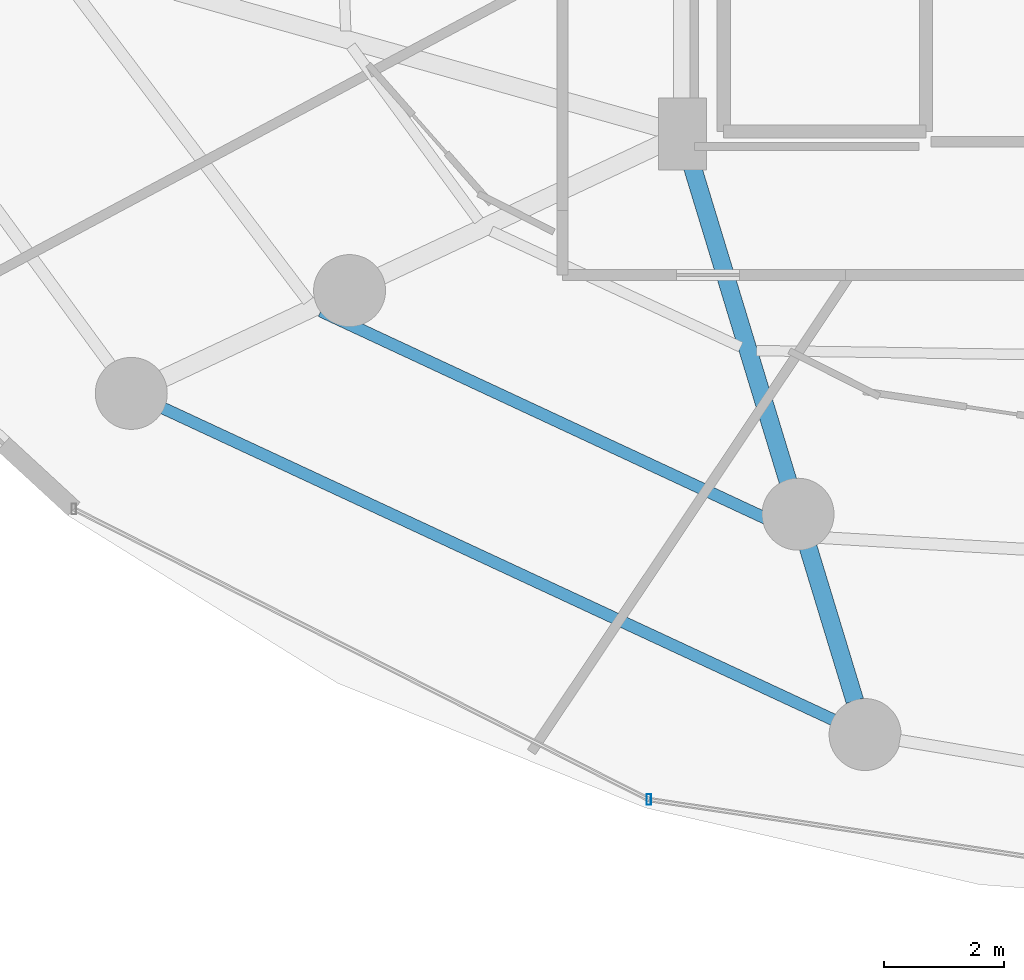
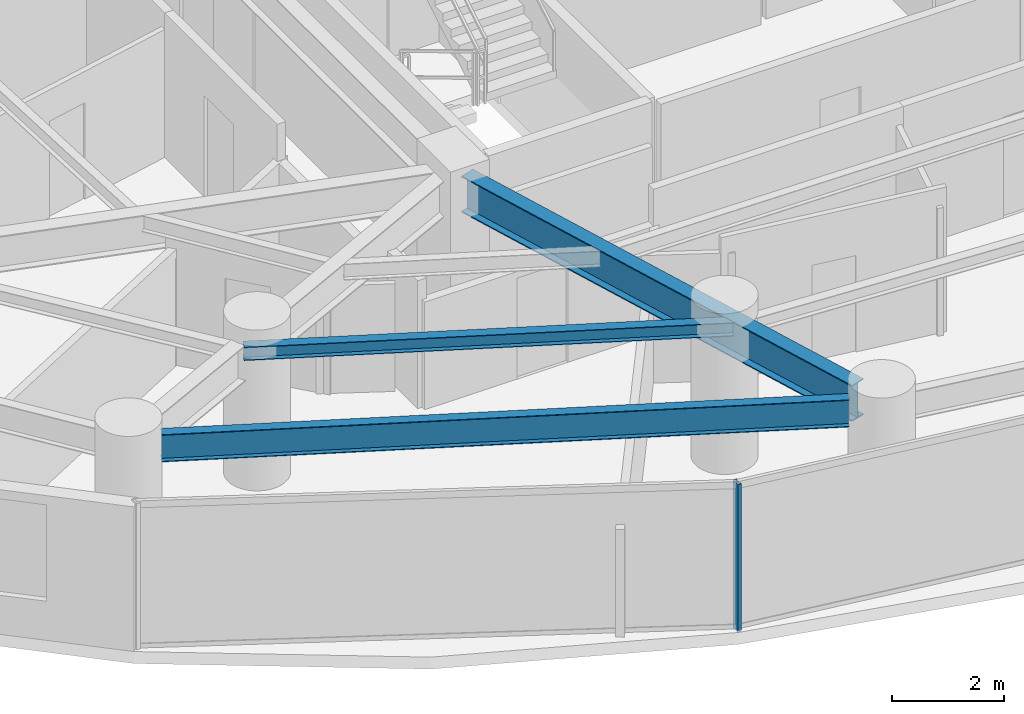
# One storey, part 5 of 34: 3 beams, 1 member, 1 element without a shape of its own.
"""IFC4 building model written with IfcOpenShell, lengths in metres."""

import ifcopenshell
import ifcopenshell.guid

model = None  # the IFC model being written
_history = None  # IfcOwnerHistory: only IFC2X3 demands one
_inside = {}  # id of a spatial element -> (the spatial element, [elements in it])
_under = {}  # id of a project, library or spatial element -> (it, [spatial elements below it])
_declared = {}  # id of a project -> (the project, [libraries it declares])
_typed = {}  # id of a type object -> (the type object, [elements of that type])
_made_of = {}  # id of a material, layer set ... -> (it, [elements and type objects made of it])


def new_model(schema):
    """Start an empty IFC model of exactly this schema.

    Asked for "IFC4X3", IfcOpenShell would pick the latest addendum, in which some entities
    have other attributes; the version numbers below select the first issue.
    IFC2X3 requires an IfcOwnerHistory on every rooted entity: one is made here for all.
    """
    global model, _history
    if schema == "IFC4X3":
        model = ifcopenshell.file(schema_version=(4, 3, 0, 0))
    else:
        model = ifcopenshell.file(schema=schema)
    _inside.clear()
    _under.clear()
    _declared.clear()
    _typed.clear()
    _made_of.clear()
    _history = None
    if model.schema == "IFC2X3":
        org = make("IfcOrganization", Name="unknown")
        user = make(
            "IfcPersonAndOrganization",
            ThePerson=make("IfcPerson", FamilyName="unknown"),
            TheOrganization=org,
        )
        app = make(
            "IfcApplication",
            ApplicationDeveloper=org,
            Version="unknown",
            ApplicationFullName="unknown",
            ApplicationIdentifier="unknown",
        )
        _history = make(
            "IfcOwnerHistory",
            OwningUser=user,
            OwningApplication=app,
            ChangeAction="ADDED",
            CreationDate=0,
        )
    return model


def make(cls, **values):
    """One entity of the class cls with the attributes given. An attribute that is None is left unset."""
    return model.create_entity(
        cls, **{name: value for name, value in values.items() if value is not None}
    )


def rooted(cls, **values):
    """An entity with a GlobalId (a new one), such as an element, a storey or a relation."""
    return make(cls, GlobalId=ifcopenshell.guid.new(), OwnerHistory=_history, **values)


def si_unit(unit_type, name, prefix=None):
    """IfcSIUnit, for example si_unit("LENGTHUNIT", "METRE", prefix="MILLI")."""
    return make("IfcSIUnit", UnitType=unit_type, Prefix=prefix, Name=name)


def assignment(units):
    """IfcUnitAssignment: the units of a project."""
    return None if units is None else make("IfcUnitAssignment", Units=units)


def point(xyz):
    """IfcCartesianPoint."""
    return None if xyz is None else make("IfcCartesianPoint", Coordinates=xyz)


def direction(xyz):
    """IfcDirection."""
    return None if xyz is None else make("IfcDirection", DirectionRatios=xyz)


def frame(location, z_axis=None, x_axis=None):
    """IfcAxis2Placement3D, a coordinate frame: its origin and axes. An axis left out is left unset."""
    return make(
        "IfcAxis2Placement3D",
        Location=point(location),
        Axis=direction(z_axis),
        RefDirection=direction(x_axis),
    )


def frame_2d(location, x_axis=None):
    """IfcAxis2Placement2D, a coordinate frame in the plane: its origin and x axis."""
    return make(
        "IfcAxis2Placement2D", Location=point(location), RefDirection=direction(x_axis)
    )


def origin():
    """The frame at (0, 0, 0) with its axes left unset."""
    return frame((0.0, 0.0, 0.0))


def origin_2d():
    """The frame at (0, 0) in the plane with its x axis left unset."""
    return frame_2d((0.0, 0.0))


def place(relative_to, where):
    """IfcLocalPlacement: puts the frame where relative to a parent placement (None: the world)."""
    return make(
        "IfcLocalPlacement", PlacementRelTo=relative_to, RelativePlacement=where
    )


def context(
    kind, dimensions, precision=None, world=None, true_north=None, identifier=None
):
    """IfcGeometricRepresentationContext, for example the 3D "Model" context."""
    return make(
        "IfcGeometricRepresentationContext",
        ContextIdentifier=identifier,
        ContextType=kind,
        CoordinateSpaceDimension=dimensions,
        Precision=precision,
        WorldCoordinateSystem=world,
        TrueNorth=true_north,
    )


def subcontext(parent, identifier, kind, view, scale=None):
    """IfcGeometricRepresentationSubContext, for example "Body" below "Model"."""
    return make(
        "IfcGeometricRepresentationSubContext",
        ContextIdentifier=identifier,
        ContextType=kind,
        ParentContext=parent,
        TargetScale=scale,
        TargetView=view,
    )


def project(units=None, contexts=None):
    """IfcProject with its units and contexts."""
    return rooted(
        "IfcProject",
        Name="project",
        RepresentationContexts=contexts,
        UnitsInContext=assignment(units),
    )


def spatial(cls, under=None, at=None, **own):
    """A site, building, storey or space (cls), placed at a placement, below another one or the project."""
    s = rooted(cls, ObjectPlacement=at, **own)
    if under is not None:
        _under.setdefault(under.id(), (under, []))[1].append(s)
    return s


def profile(cls, at=None, kind="AREA", **sizes):
    """A parametric profile (cls). Its sizes go by their IFC names, for example OverallWidth=200.0."""
    return make(cls, ProfileType=kind, Position=at, **sizes)


def hollow_rectangle(**sizes):
    """IfcRectangleHollowProfileDef."""
    return profile("IfcRectangleHollowProfileDef", **sizes)


def i_section(**sizes):
    """IfcIShapeProfileDef."""
    return profile("IfcIShapeProfileDef", **sizes)


def extrude(swept, where, along, depth):
    """IfcExtrudedAreaSolid: the profile swept, set in the frame where, extruded along a direction by depth."""
    return make(
        "IfcExtrudedAreaSolid",
        SweptArea=swept,
        Position=where,
        ExtrudedDirection=direction(along),
        Depth=depth,
    )


def shape(context_of_items, identifier, shape_type, items):
    """IfcShapeRepresentation: the items that make up one representation, for example the "Body"."""
    return make(
        "IfcShapeRepresentation",
        ContextOfItems=context_of_items,
        RepresentationIdentifier=identifier,
        RepresentationType=shape_type,
        Items=items,
    )


def material(Name=None, Category=None):
    """IfcMaterial."""
    return make("IfcMaterial", Name=Name, Category=Category)


def material_profile(
    of_material, cross_section, Name=None, Category=None, Priority=None
):
    """IfcMaterialProfile: a cross section and its material."""
    return make(
        "IfcMaterialProfile",
        Name=Name,
        Material=of_material,
        Profile=cross_section,
        Priority=Priority,
        Category=Category,
    )


def profile_set(profiles, Name=None, composite=None):
    """IfcMaterialProfileSet."""
    return make(
        "IfcMaterialProfileSet",
        Name=Name,
        MaterialProfiles=profiles,
        CompositeProfile=composite,
    )


def made_of(thing, what):
    """Note that an element or type object is made of a material, layer set ...; save() writes the relation."""
    if what is not None:
        _made_of.setdefault(what.id(), (what, []))[1].append(thing)
    return thing


def type_object(cls, material=None, **own):
    """A type object (cls), such as IfcWallType, which elements share."""
    return made_of(rooted(cls, **own), material)


def element(
    cls,
    number,
    at=None,
    inside=None,
    cuts=None,
    type_object=None,
    material=None,
    context=None,
    identifier="Body",
    shape_type=None,
    held_by="IfcProductDefinitionShape",
    body=None,
    shapes=None,
    **own,
):
    """One element of the class cls, such as IfcWall. Its Tag is "e" and its number.

    at: its placement. inside: the storey or other place that contains it. cuts: it is an
    opening in that element (IfcRelVoidsElement). A single representation is given by context,
    identifier, shape_type and body (its items); several are given by shapes. held_by: the class
    of the entity that holds the representations. save() writes the other relations.
    """
    e = rooted(cls, Tag="e%d" % number, ObjectPlacement=at, **own)
    if body is not None:
        shapes = [shape(context, identifier, shape_type, body)]
    if shapes is not None:
        e.Representation = make(held_by, Representations=shapes)
    if inside is not None:
        _inside.setdefault(inside.id(), (inside, []))[1].append(e)
    if cuts is not None:
        rooted(
            "IfcRelVoidsElement", RelatingBuildingElement=cuts, RelatedOpeningElement=e
        )
    if type_object is not None:
        _typed.setdefault(type_object.id(), (type_object, []))[1].append(e)
    return made_of(e, material)


def aggregate(whole, parts):
    """IfcRelAggregates: a whole, such as a stair, and the parts it consists of."""
    return rooted("IfcRelAggregates", RelatingObject=whole, RelatedObjects=parts)


def save(model, path):
    """Write the relations noted so far, then the file.

    IfcRelAggregates (storeys below a building ...), IfcRelContainedInSpatialStructure (elements
    in a storey), IfcRelDefinesByType, IfcRelAssociatesMaterial and IfcRelDeclares: one each for
    every whole, place, type object, material and project.
    """
    for whole, parts in _under.values():
        aggregate(whole, parts)
    for where, things in _inside.values():
        rooted(
            "IfcRelContainedInSpatialStructure",
            RelatedElements=things,
            RelatingStructure=where,
        )
    for kind, things in _typed.values():
        rooted("IfcRelDefinesByType", RelatedObjects=things, RelatingType=kind)
    for what, things in _made_of.values():
        rooted("IfcRelAssociatesMaterial", RelatedObjects=things, RelatingMaterial=what)
    for by, libraries in _declared.values():
        rooted("IfcRelDeclares", RelatingContext=by, RelatedDefinitions=libraries)
    model.write(path)


model = new_model("IFC4")

# Units and contexts
model_context = context("Model", 3, precision=1e-05, world=origin(), true_north=direction((0.0, 1.0)))
body_context = subcontext(model_context, "Body", "Model", "MODEL_VIEW")
ifc_project = project(units=[si_unit("LENGTHUNIT", "METRE"), si_unit("AREAUNIT", "SQUARE_METRE"), si_unit("VOLUMEUNIT", "CUBIC_METRE"), si_unit("PLANEANGLEUNIT", "RADIAN"), si_unit("MASSUNIT", "GRAM", prefix="KILO")], contexts=[model_context])

# Site, building, storey
site_placement = place(None, origin())
site = spatial("IfcSite", under=ifc_project, at=site_placement, CompositionType="ELEMENT")
building_placement = place(site_placement, origin())
building = spatial("IfcBuilding", under=site, at=building_placement, Name="Vorneva Point Tower", CompositionType="ELEMENT")
storey_placement = place(building_placement, frame((0.0, 0.0, 66.0)))
storey = spatial("IfcBuildingStorey", under=building, at=storey_placement, Name="L17", CompositionType="ELEMENT", Elevation=66.0)

# Beams
ifc_material_1 = material(Name="Steel S355", Category="steel")
ifc_material_profile_1 = material_profile(ifc_material_1, i_section(OverallWidth=0.300048828125, OverallDepth=0.7880859375, WebThickness=0.014404296875, FlangeThickness=0.02197265625, at=origin_2d()), Name="80Sh1")
ifc_profile_set_1 = profile_set([ifc_material_profile_1], Name="Steel S355")
beam_type_1 = type_object("IfcBeamType", Name="BM-GRD-80Sh1", PredefinedType="USERDEFINED", material=ifc_profile_set_1)
beam_1_placement = place(storey_placement, frame((30.125732421875, 6.997802734375, 2.756103515625), z_axis=(-0.29105061459, 0.956707656365, 0.0), x_axis=(-0.956707656365, -0.29105061459, 0.0)))
element("IfcBeam", 1, at=beam_1_placement, inside=storey, type_object=beam_type_1, Name="L17 Radial Primary Girder 12", ObjectType="GIRDER", PredefinedType="USERDEFINED", context=body_context, shape_type="SweptSolid", body=[
    extrude(i_section(OverallWidth=0.300048828125, OverallDepth=0.7880859375, WebThickness=0.014404296875, FlangeThickness=0.02197265625, at=origin_2d()), origin(), (0.0, 0.0, 1.0), 9.5400390625),
])
ifc_material_profile_2 = material_profile(ifc_material_1, i_section(OverallWidth=0.199951171875, OverallDepth=0.291015625, WebThickness=0.008056640625, FlangeThickness=0.010986328125, at=origin_2d()), Name="30Sh1")
ifc_profile_set_2 = profile_set([ifc_material_profile_2], Name="Steel S355")
beam_type_2 = type_object("IfcBeamType", Name="BM-SEC-30Sh1", PredefinedType="BEAM", material=ifc_profile_set_2)
beam_2_placement = place(storey_placement, frame((21.22314453125, 13.49560546875, 3.00439453125), z_axis=(0.906447691893, -0.422318105061, 0.0), x_axis=(0.422318105061, 0.906447691893, 0.0)))
element("IfcBeam", 2, at=beam_2_placement, inside=storey, type_object=beam_type_2, Name="L17 Secondary Floor Beam 1.11", PredefinedType="BEAM", context=body_context, shape_type="SweptSolid", body=[
    extrude(i_section(OverallWidth=0.199951171875, OverallDepth=0.291015625, WebThickness=0.008056640625, FlangeThickness=0.010986328125, at=origin_2d()), origin(), (0.0, 0.0, 1.0), 8.764404296875),
])
ifc_material_profile_3 = material_profile(ifc_material_1, i_section(OverallWidth=0.198974609375, OverallDepth=0.595947265625, WebThickness=0.010009765625, FlangeThickness=0.014892578125, at=origin_2d()), Name="60B1")
ifc_profile_set_3 = profile_set([ifc_material_profile_3], Name="Steel S355")
beam_type_3 = type_object("IfcBeamType", Name="BM-SPN-60B1", PredefinedType="SPANDREL", material=ifc_profile_set_3)
beam_3_placement = place(storey_placement, frame((18.591796875, 11.877685546875, 2.85205078125), z_axis=(0.906772901024, -0.421619385191, 0.0), x_axis=(0.421619385191, 0.906772901024, 0.0)))
element("IfcBeam", 3, at=beam_3_placement, inside=storey, type_object=beam_type_3, Name="L17 Perimeter Spandrel Ring Beam 11", PredefinedType="SPANDREL", context=body_context, shape_type="SweptSolid", body=[
    extrude(i_section(OverallWidth=0.198974609375, OverallDepth=0.595947265625, WebThickness=0.010009765625, FlangeThickness=0.014892578125, at=origin_2d()), origin(), (0.0, 0.0, 1.0), 12.323486328125),
])

# Curtain wall, member
ifc_material_2 = material(Name="Pale anodised aluminium", Category="aluminium")
curtain_wall_type = type_object("IfcCurtainWallType", Name="CW-HTL-SYS", PredefinedType="NOTDEFINED", material=ifc_material_2)
curtain_wall_placement = place(storey_placement, origin())
curtain_wall = element("IfcCurtainWall", 4, at=curtain_wall_placement, inside=storey, type_object=curtain_wall_type, Name="L17 Unitised Curtain Wall CW-L17-R04", PredefinedType="NOTDEFINED")
ifc_material_profile_4 = material_profile(ifc_material_2, hollow_rectangle(XDim=0.074951171875, YDim=0.179931640625, WallThickness=0.00390625, at=origin_2d()), Name="AL-MUL 180x75x4")
ifc_profile_set_4 = profile_set([ifc_material_profile_4], Name="Pale anodised aluminium")
member_type = type_object("IfcMemberType", Name="CW-MUL-180", PredefinedType="MULLION", material=ifc_profile_set_4)
member_placement = place(storey_placement, frame((26.691650390625, 5.351318359375, -0.0400390625), z_axis=(0.0, 0.0, 1.0), x_axis=(1.0, 0.0, 0.0)))
member = element("IfcMember", 5, at=member_placement, type_object=member_type, Name="CW-L17-R04 Mullion 02", PredefinedType="MULLION", context=body_context, shape_type="SweptSolid", body=[
    extrude(hollow_rectangle(XDim=0.074951171875, YDim=0.179931640625, WallThickness=0.00390625, at=origin_2d()), origin(), (0.0, 0.0, 1.0), 3.219970703125),
])
aggregate(curtain_wall, [member])

save(model, "model.ifc")
